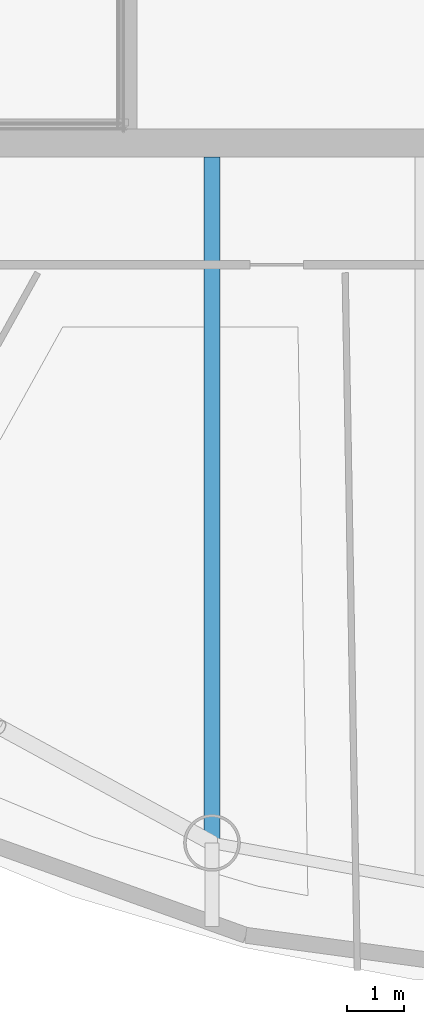
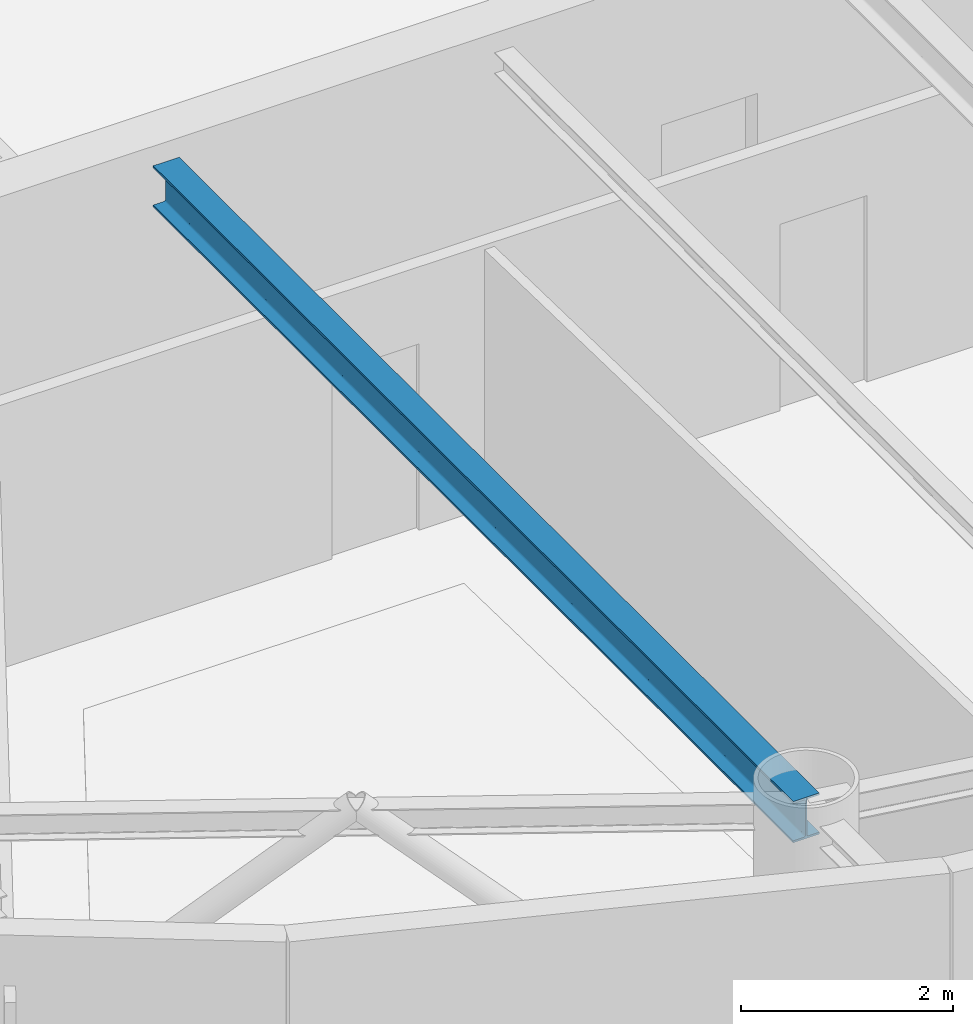
# One storey, part 6 of 22: 1 beam.
"""IFC4 building model written with IfcOpenShell, lengths in metres."""

from ifc_helpers import new_model, si_unit, direction, frame, origin, origin_2d, place, context, subcontext, project, spatial, i_section, extrude, material, material_profile, profile_set, type_object, element, save


model = new_model("IFC4")

# Units and contexts
model_context = context("Model", 3, precision=1e-05, world=origin(), true_north=direction((0.0, 1.0)))
body_context = subcontext(model_context, "Body", "Model", "MODEL_VIEW")
ifc_project = project(units=[si_unit("LENGTHUNIT", "METRE"), si_unit("AREAUNIT", "SQUARE_METRE"), si_unit("VOLUMEUNIT", "CUBIC_METRE"), si_unit("PLANEANGLEUNIT", "RADIAN"), si_unit("MASSUNIT", "GRAM", prefix="KILO")], contexts=[model_context])

# Site, building, storey
site_placement = place(None, origin())
site = spatial("IfcSite", under=ifc_project, at=site_placement, CompositionType="ELEMENT")
building_placement = place(site_placement, origin())
building = spatial("IfcBuilding", under=site, at=building_placement, Name="Bramvorn Convention Spire", CompositionType="ELEMENT")
storey_placement = place(building_placement, frame((0.0, 0.0, 253.60009765625)))
storey = spatial("IfcBuildingStorey", under=building, at=storey_placement, Name="L64", CompositionType="ELEMENT", Elevation=253.60009765625)

# Beam
ifc_material = material(Name="Steel CSA G40.21 Grade 350 (350W)", Category="steel")
ifc_material_profile = material_profile(ifc_material, i_section(OverallWidth=0.283935546875, OverallDepth=0.47607421875, WebThickness=0.014892578125, FlangeThickness=0.02392578125, FilletRadius=0.01806640625, at=origin_2d()))
ifc_profile_set = profile_set([ifc_material_profile], Name="Steel CSA G40.21 Grade 350 (350W) - W460X158")
beam_type = type_object("IfcBeamType", Name="BM-W460X158", PredefinedType="SPANDREL", material=ifc_profile_set)
beam_placement = place(storey_placement, frame((35.8154296875, 18.550048828125, 3.386962890625), z_axis=(0.0, -1.0, 0.0), x_axis=(1.0, 0.0, 0.0)))
element("IfcBeam", 1, at=beam_placement, inside=storey, type_object=beam_type, Name="L64 radial floor girder MC15", PredefinedType="SPANDREL", context=body_context, shape_type="SweptSolid", body=[
    extrude(i_section(OverallWidth=0.283935546875, OverallDepth=0.47607421875, WebThickness=0.014892578125, FlangeThickness=0.02392578125, FilletRadius=0.01806640625, at=origin_2d()), origin(), (0.0, 0.0, 1.0), 12.100830078125),
])

save(model, "model.ifc")
